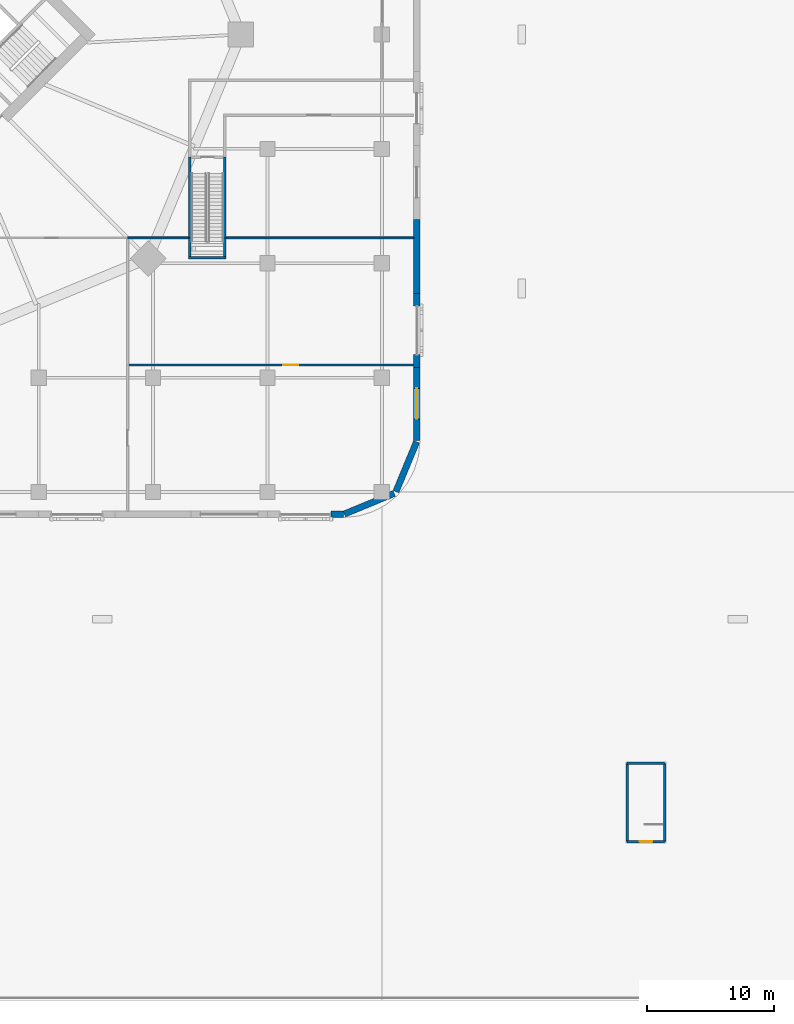
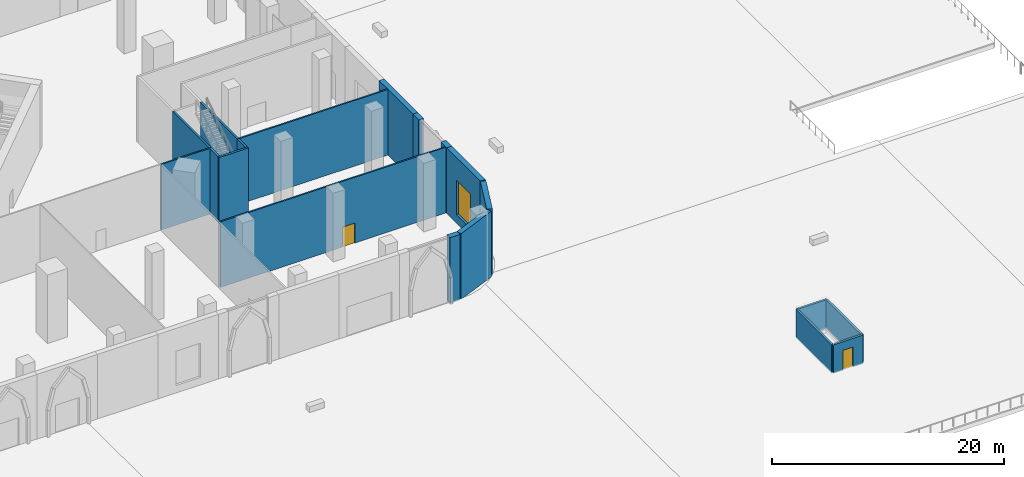
# One storey, part 28 of 48: 19 walls, 2 doors, 1 window, 3 openings.
"""IFC4 building model written with IfcOpenShell, lengths in metres."""

from ifc_helpers import new_model, si_unit, direction, frame, frame_2d, origin, place, context, subcontext, project, spatial, rectangle, extrude, material, layer, layer_set, type_object, element, fill, save


model = new_model("IFC4")

# Units and contexts
model_context = context("Model", 3, precision=1e-05, world=origin(), true_north=direction((0.0, 1.0)))
body_context = subcontext(model_context, "Body", "Model", "MODEL_VIEW")
ifc_project = project(units=[si_unit("LENGTHUNIT", "METRE"), si_unit("AREAUNIT", "SQUARE_METRE"), si_unit("VOLUMEUNIT", "CUBIC_METRE"), si_unit("PLANEANGLEUNIT", "RADIAN"), si_unit("MASSUNIT", "GRAM", prefix="KILO")], contexts=[model_context])

# Site, building, storey
site_placement = place(None, origin())
site = spatial("IfcSite", under=ifc_project, at=site_placement, CompositionType="ELEMENT")
building_placement = place(site_placement, origin())
building = spatial("IfcBuilding", under=site, at=building_placement, Name="Ogive Gate Towers", CompositionType="ELEMENT")
storey_placement = place(building_placement, origin())
storey = spatial("IfcBuildingStorey", under=building, at=storey_placement, Name="L00", CompositionType="ELEMENT", Elevation=0.0)

# Walls
ifc_material_1 = material(Name="Precast concrete C40/50", Category="concrete")
ifc_layer_1 = layer(ifc_material_1, 0.5)
ifc_layer_set_1 = layer_set([ifc_layer_1], Name="Arcade wall 500")
wall_type_1 = type_object("IfcWallType", Name="Arcade wall 500", PredefinedType="SOLIDWALL", material=ifc_layer_set_1)
for number, where, z_axis, x_axis, name in (
    (1, (69.0458984375, -37.73095703125, 0.0), (0.0, 0.0, 1.0), (0.923880930628, 0.382680056994, 0.0), "Podium wall"),
    (2, (73.10546875, -35.97021484375, 0.0), (0.0, 0.0, 1.0), (0.382680056994, 0.923880930628, 0.0), "Podium wall"),
):
    element("IfcWall", number, at=place(storey_placement, frame(where, z_axis=z_axis, x_axis=x_axis)), inside=storey, type_object=wall_type_1, Name=name, PredefinedType="SOLIDWALL", context=body_context, shape_type="SweptSolid", body=[
        extrude(rectangle(XDim=4.24755859375, YDim=0.5, at=frame_2d((2.123779296875, 0.0))), origin(), (0.0, 0.0, 1.0), 6.89990234375),
    ])

# Wall, opening, window
wall_1_placement = place(storey_placement, frame((74.75, -31.9501953125, 0.0), z_axis=(0.0, 0.0, 1.0), x_axis=(0.0, 1.0, 0.0)))
wall_1 = element("IfcWall", 3, at=wall_1_placement, inside=storey, type_object=wall_type_1, Name="Podium wall", PredefinedType="SOLIDWALL", context=body_context, shape_type="SweptSolid", body=[
    extrude(rectangle(XDim=5.768310546875, YDim=0.5, at=frame_2d((2.88427734375, 0.0))), origin(), (0.0, 0.0, 1.0), 6.89990234375),
])
opening_1_placement = place(wall_1_placement, frame((1.708984375, 0.0, 0.89990234375)))
opening_1 = element("IfcOpeningElement", 4, at=opening_1_placement, cuts=wall_1, Name="Opening WN4", PredefinedType="OPENING", context=body_context, shape_type="SweptSolid", body=[
    extrude(rectangle(XDim=2.39990234375, YDim=3.60009765625, at=frame_2d((1.199951171875, 1.800048828125))), frame((0.0, 0.260009765625, 0.0), z_axis=(0.0, -1.0, 0.0), x_axis=(1.0, 0.0, 0.0)), (0.0, 0.0, 1.0), 0.52001953125),
])
ifc_material_2 = material(Name="Clear glass", Category="glass")
window_type = type_object("IfcWindowType", Name="Arcade window 2400 x 3600", PartitioningType="SINGLE_PANEL", PredefinedType="WINDOW", material=ifc_material_2)
window_placement = place(opening_1_placement, origin())
window = element("IfcWindow", 5, at=window_placement, inside=storey, type_object=window_type, Name="Podium window", OverallHeight=3.60009765625, OverallWidth=2.39990234375, PartitioningType="SINGLE_PANEL", PredefinedType="WINDOW", context=body_context, shape_type="SweptSolid", body=[
    extrude(rectangle(XDim=2.39990234375, YDim=3.60009765625, at=frame_2d((1.199951171875, 1.800048828125))), frame((0.0, 0.030029296875, 0.0), z_axis=(0.0, -1.0, 0.0), x_axis=(1.0, 0.0, 0.0)), (0.0, 0.0, 1.0), 0.06005859375),
])
fill(opening_1, window)

# Walls
for number, where, z_axis, x_axis, name in (
    (6, (74.75, -26.181884765625, 0.0), (0.0, 0.0, 1.0), (0.0, 1.0, 0.0), "Podium wall"),
    (7, (74.75, -21.363525390625, 0.0), (0.0, 0.0, 1.0), (0.0, 1.0, 0.0), "Podium wall"),
):
    element("IfcWall", number, at=place(storey_placement, frame(where, z_axis=z_axis, x_axis=x_axis)), inside=storey, type_object=wall_type_1, Name=name, PredefinedType="SOLIDWALL", context=body_context, shape_type="SweptSolid", body=[
        extrude(rectangle(XDim=1.0, YDim=0.5, at=frame_2d((0.5, 0.0))), origin(), (0.0, 0.0, 1.0), 6.89990234375),
    ])
wall_2_placement = place(storey_placement, frame((74.75, -20.363525390625, 0.0), z_axis=(0.0, 0.0, 1.0), x_axis=(0.0, 1.0, 0.0)))
element("IfcWall", 8, at=wall_2_placement, inside=storey, type_object=wall_type_1, Name="Podium wall", PredefinedType="SOLIDWALL", context=body_context, shape_type="SweptSolid", body=[
    extrude(rectangle(XDim=5.818115234375, YDim=0.5, at=frame_2d((2.9091796875, 0.0))), origin(), (0.0, 0.0, 1.0), 6.89990234375),
])
wall_3_placement = place(storey_placement, frame((68.0, -37.75, 0.0), z_axis=(0.0, 0.0, 1.0), x_axis=(1.0, 0.0, 0.0)))
element("IfcWall", 9, at=wall_3_placement, inside=storey, type_object=wall_type_1, Name="Podium wall", PredefinedType="SOLIDWALL", context=body_context, shape_type="SweptSolid", body=[
    extrude(rectangle(XDim=1.0, YDim=0.5, at=frame_2d((0.5, 0.0))), origin(), (0.0, 0.0, 1.0), 6.89990234375),
])
ifc_material_3 = material(Name="Fire-rated gypsum board partition")
ifc_layer_2 = layer(ifc_material_3, 0.14990234375)
ifc_layer_set_2 = layer_set([ifc_layer_2], Name="Partition wall 150")
wall_type_2 = type_object("IfcWallType", Name="Partition wall 150", PredefinedType="PARTITIONING", material=ifc_layer_set_2)
wall_4_placement = place(storey_placement, frame((52.0, -16.0, 0.0), z_axis=(0.0, 0.0, 1.0), x_axis=(1.0, 0.0, 0.0)))
element("IfcWall", 10, at=wall_4_placement, inside=storey, type_object=wall_type_2, Name="L00 partition 056", PredefinedType="PARTITIONING", context=body_context, shape_type="SweptSolid", body=[
    extrude(rectangle(XDim=4.800048828125, YDim=0.14990234375, at=frame_2d((2.39990234375, 0.0))), origin(), (0.0, 0.0, 1.0), 6.89990234375),
])

# Wall, opening, door
wall_5_placement = place(storey_placement, frame((52.074951171875, -26.0, 0.0), z_axis=(0.0, 0.0, 1.0), x_axis=(1.0, 0.0, 0.0)))
wall_5 = element("IfcWall", 11, at=wall_5_placement, inside=storey, type_object=wall_type_2, Name="L00 partition 063", PredefinedType="PARTITIONING", context=body_context, shape_type="SweptSolid", body=[
    extrude(rectangle(XDim=22.425048828125, YDim=0.14990234375, at=frame_2d((11.21240234375, 0.0))), origin(), (0.0, 0.0, 1.0), 6.89990234375),
])
opening_2_placement = place(wall_5_placement, frame((12.159423828125, 0.0, 0.0)))
opening_2 = element("IfcOpeningElement", 12, at=opening_2_placement, cuts=wall_5, Name="Opening PO121", PredefinedType="OPENING", context=body_context, shape_type="SweptSolid", body=[
    extrude(rectangle(XDim=1.199951171875, YDim=2.10009765625, at=frame_2d((0.60009765625, 1.050048828125))), frame((0.0, 0.0849609375, 0.0), z_axis=(0.0, -1.0, 0.0), x_axis=(1.0, 0.0, 0.0)), (0.0, 0.0, 1.0), 0.169921875),
])
ifc_material_4 = material(Name="Steel fire door", Category="steel")
door_type_1 = type_object("IfcDoorType", Name="Interior fire door FD60S 1200 x 2100", OperationType="NOTDEFINED", PredefinedType="DOOR", material=ifc_material_4)
door_1_placement = place(opening_2_placement, origin())
door_1 = element("IfcDoor", 13, at=door_1_placement, inside=storey, type_object=door_type_1, Name="Door PO121", OperationType="SINGLE_SWING_LEFT", OverallHeight=2.10009765625, OverallWidth=1.199951171875, PredefinedType="DOOR", context=body_context, shape_type="SweptSolid", body=[
    extrude(rectangle(XDim=1.199951171875, YDim=2.10009765625, at=frame_2d((0.60009765625, 1.050048828125))), frame((0.0, 0.02490234375, 0.0), z_axis=(0.0, -1.0, 0.0), x_axis=(1.0, 0.0, 0.0)), (0.0, 0.0, 1.0), 0.050048828125),
])
fill(opening_2, door_1)

# Wall
wall_6_placement = place(storey_placement, frame((59.75, -16.0, 0.0), z_axis=(0.0, 0.0, 1.0), x_axis=(1.0, 0.0, 0.0)))
element("IfcWall", 14, at=wall_6_placement, inside=storey, type_object=wall_type_2, Name="L00 partition 064", PredefinedType="PARTITIONING", context=body_context, shape_type="SweptSolid", body=[
    extrude(rectangle(XDim=14.75, YDim=0.14990234375, at=frame_2d((7.375, 0.0))), origin(), (0.0, 0.0, 1.0), 6.89990234375),
])

# Wall, opening, door
ifc_material_5 = material(Name="Concrete C32/40", Category="concrete")
ifc_layer_3 = layer(ifc_material_5, 0.199951171875)
ifc_layer_set_3 = layer_set([ifc_layer_3], Name="Stair house wall 200")
wall_type_3 = type_object("IfcWallType", Name="Stair house wall 200", PredefinedType="SOLIDWALL", material=ifc_layer_set_3)
wall_7_placement = place(storey_placement, frame((94.25, -63.5, 0.0), z_axis=(0.0, 0.0, 1.0), x_axis=(-1.0, 0.0, 0.0)))
wall_7 = element("IfcWall", 15, at=wall_7_placement, inside=storey, type_object=wall_type_3, Name="CS8 stair house wall 1", PredefinedType="SOLIDWALL", context=body_context, shape_type="SweptSolid", body=[
    extrude(rectangle(XDim=2.949951171875, YDim=0.199951171875, at=frame_2d((1.47509765625, 0.0))), origin(), (0.0, 0.0, 1.0), 3.0),
])
opening_3_placement = place(wall_7_placement, frame((0.97509765625, 0.0, 0.0)))
opening_3 = element("IfcOpeningElement", 16, at=opening_3_placement, cuts=wall_7, Name="Opening CPD38-L00", PredefinedType="OPENING", context=body_context, shape_type="SweptSolid", body=[
    extrude(rectangle(XDim=1.0, YDim=2.10009765625, at=frame_2d((0.5, 1.050048828125))), frame((0.0, 0.10986328125, 0.0), z_axis=(0.0, -1.0, 0.0), x_axis=(1.0, 0.0, 0.0)), (0.0, 0.0, 1.0), 0.219970703125),
])
ifc_material_6 = material(Name="Painted steel door", Category="steel")
door_type_2 = type_object("IfcDoorType", Name="Stair house door 1000 x 2100", OperationType="SINGLE_SWING_LEFT", PredefinedType="DOOR", material=ifc_material_6)
door_2_placement = place(opening_3_placement, origin())
door_2 = element("IfcDoor", 17, at=door_2_placement, inside=storey, type_object=door_type_2, Name="Door CS8 discharge", OperationType="SINGLE_SWING_LEFT", OverallHeight=2.10009765625, OverallWidth=1.0, PredefinedType="DOOR", context=body_context, shape_type="SweptSolid", body=[
    extrude(rectangle(XDim=1.0, YDim=2.10009765625, at=frame_2d((0.5, 1.050048828125))), frame((0.0, 0.02490234375, 0.0), z_axis=(0.0, -1.0, 0.0), x_axis=(1.0, 0.0, 0.0)), (0.0, 0.0, 1.0), 0.050048828125),
])
fill(opening_3, door_2)

# Walls
wall_8_placement = place(storey_placement, frame((91.300048828125, -63.5, 0.0), z_axis=(0.0, 0.0, 1.0), x_axis=(0.0, 1.0, 0.0)))
element("IfcWall", 18, at=wall_8_placement, inside=storey, type_object=wall_type_3, Name="CS8 stair house wall 2", PredefinedType="SOLIDWALL", context=body_context, shape_type="SweptSolid", body=[
    extrude(rectangle(XDim=6.159912109375, YDim=0.199951171875, at=frame_2d((3.080078125, 0.0))), origin(), (0.0, 0.0, 1.0), 3.0),
])
wall_9_placement = place(storey_placement, frame((91.300048828125, -57.340087890625, 0.0), z_axis=(0.0, 0.0, 1.0), x_axis=(1.0, 0.0, 0.0)))
element("IfcWall", 19, at=wall_9_placement, inside=storey, type_object=wall_type_3, Name="CS8 stair house wall 3", PredefinedType="SOLIDWALL", context=body_context, shape_type="SweptSolid", body=[
    extrude(rectangle(XDim=2.949951171875, YDim=0.199951171875, at=frame_2d((1.47509765625, 0.0))), origin(), (0.0, 0.0, 1.0), 3.0),
])
wall_10_placement = place(storey_placement, frame((94.25, -57.340087890625, 0.0), z_axis=(0.0, 0.0, 1.0), x_axis=(0.0, -1.0, 0.0)))
element("IfcWall", 20, at=wall_10_placement, inside=storey, type_object=wall_type_3, Name="CS8 stair house wall 4", PredefinedType="SOLIDWALL", context=body_context, shape_type="SweptSolid", body=[
    extrude(rectangle(XDim=6.159912109375, YDim=0.199951171875, at=frame_2d((3.080078125, 0.0))), origin(), (0.0, 0.0, 1.0), 3.0),
])
ifc_material_7 = material(Name="Reinforced concrete C32/40", Category="concrete")
ifc_layer_4 = layer(ifc_material_7, 0.199951171875)
ifc_layer_set_4 = layer_set([ifc_layer_4], Name="Stair shaft wall 200")
wall_type_4 = type_object("IfcWallType", Name="Stair shaft wall 200", PredefinedType="SOLIDWALL", material=ifc_layer_set_4)
wall_11_placement = place(storey_placement, frame((56.89990234375, -16.0, 0.0), z_axis=(0.0, 0.0, 1.0), x_axis=(0.0, 1.0, 0.0)))
element("IfcWall", 21, at=wall_11_placement, inside=storey, type_object=wall_type_4, Name="L00 stair shaft wall 008", PredefinedType="SOLIDWALL", context=body_context, shape_type="SweptSolid", body=[
    extrude(rectangle(XDim=6.35009765625, YDim=0.199951171875, at=frame_2d((3.175048828125, 0.0))), origin(), (0.0, 0.0, 1.0), 6.89990234375),
])
wall_12_placement = place(storey_placement, frame((56.800048828125, -17.570068359375, 0.0), z_axis=(0.0, 0.0, 1.0), x_axis=(1.0, 0.0, 0.0)))
element("IfcWall", 22, at=wall_12_placement, inside=storey, type_object=wall_type_4, Name="L00 stair shaft wall 009", PredefinedType="SOLIDWALL", context=body_context, shape_type="SweptSolid", body=[
    extrude(rectangle(XDim=2.949951171875, YDim=0.199951171875, at=frame_2d((1.47509765625, 0.0))), origin(), (0.0, 0.0, 1.0), 6.89990234375),
])
for number, where, z_axis, x_axis, name in (
    (23, (56.89990234375, -17.469970703125, 0.0), (0.0, 0.0, 1.0), (0.0, 1.0, 0.0), "L00 stair shaft wall 010"),
    (24, (59.64990234375, -17.469970703125, 0.0), (0.0, 0.0, 1.0), (0.0, 1.0, 0.0), "L00 stair shaft wall 011"),
):
    element("IfcWall", number, at=place(storey_placement, frame(where, z_axis=z_axis, x_axis=x_axis)), inside=storey, type_object=wall_type_4, Name=name, PredefinedType="SOLIDWALL", context=body_context, shape_type="SweptSolid", body=[
        extrude(rectangle(XDim=1.469970703125, YDim=0.199951171875, at=frame_2d((0.73486328125, 0.0))), origin(), (0.0, 0.0, 1.0), 6.89990234375),
    ])
wall_13_placement = place(storey_placement, frame((59.64990234375, -16.0, 0.0), z_axis=(0.0, 0.0, 1.0), x_axis=(0.0, 1.0, 0.0)))
element("IfcWall", 25, at=wall_13_placement, inside=storey, type_object=wall_type_4, Name="L00 stair shaft wall 012", PredefinedType="SOLIDWALL", context=body_context, shape_type="SweptSolid", body=[
    extrude(rectangle(XDim=6.35009765625, YDim=0.199951171875, at=frame_2d((3.175048828125, 0.0))), origin(), (0.0, 0.0, 1.0), 6.89990234375),
])

save(model, "model.ifc")
